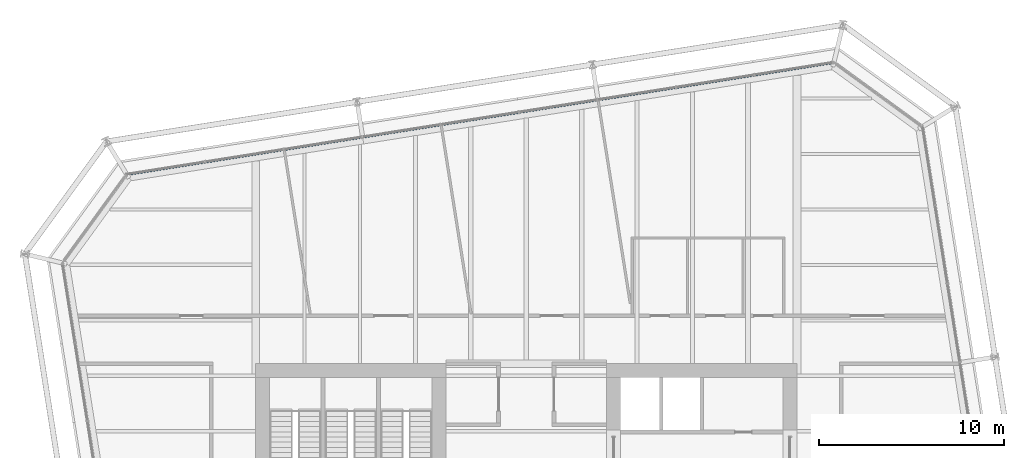
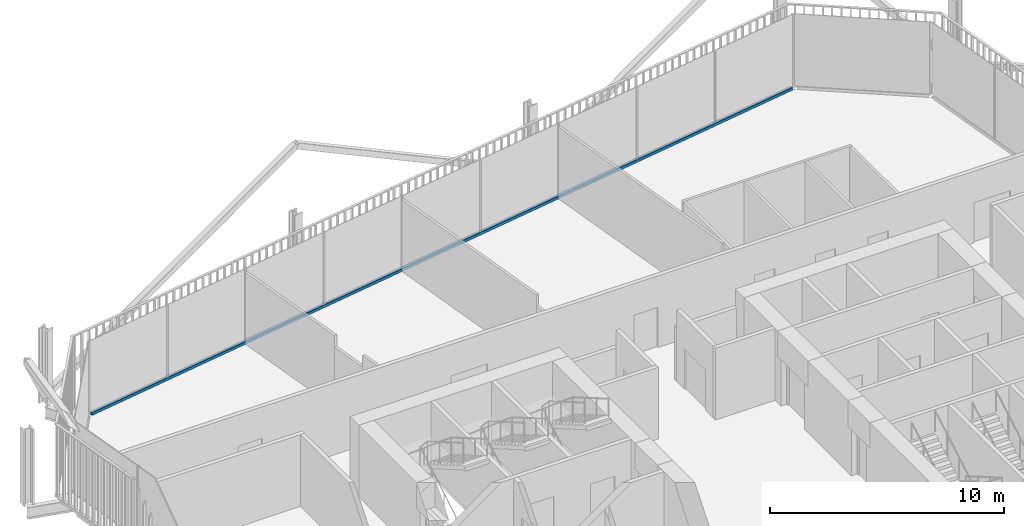
# One storey, part 12 of 22: 1 member, 1 element without a shape of its own.
"""IFC4 building model written with IfcOpenShell, lengths in metres."""

from ifc_helpers import new_model, si_unit, direction, frame, origin, origin_2d, place, context, subcontext, project, spatial, rectangle, extrude, material, layer, layer_set, material_profile, profile_set, type_object, element, aggregate, save


model = new_model("IFC4")

# Units and contexts
model_context = context("Model", 3, precision=1e-05, world=origin(), true_north=direction((0.0, 1.0)))
body_context = subcontext(model_context, "Body", "Model", "MODEL_VIEW")
ifc_project = project(units=[si_unit("LENGTHUNIT", "METRE"), si_unit("AREAUNIT", "SQUARE_METRE"), si_unit("VOLUMEUNIT", "CUBIC_METRE"), si_unit("PLANEANGLEUNIT", "RADIAN"), si_unit("MASSUNIT", "GRAM", prefix="KILO")], contexts=[model_context])

# Site, building, storey
site_placement = place(None, origin())
site = spatial("IfcSite", under=ifc_project, at=site_placement, CompositionType="ELEMENT")
building_placement = place(site_placement, origin())
building = spatial("IfcBuilding", under=site, at=building_placement, Name="Millrace Tower", CompositionType="ELEMENT")
storey_placement = place(building_placement, frame((0.0, 0.0, 160.699951171875)))
storey = spatial("IfcBuildingStorey", under=building, at=storey_placement, Name="L36", CompositionType="ELEMENT", Elevation=160.699951171875)

# Curtain wall, member
ifc_material_1 = material(Name="Aluminium and glass", Category="aluminium")
ifc_layer = layer(ifc_material_1, 0.14990234375)
ifc_layer_set = layer_set([ifc_layer], Name="Aluminium and glass")
curtain_wall_type = type_object("IfcCurtainWallType", Name="CW-1 office vision curtain wall", PredefinedType="NOTDEFINED", material=ifc_layer_set)
curtain_wall_placement = place(storey_placement, origin())
curtain_wall = element("IfcCurtainWall", 1, at=curtain_wall_placement, inside=storey, type_object=curtain_wall_type, Name="Curtain wall C-F06 L36", PredefinedType="NOTDEFINED")
ifc_material_2 = material(Name="Aluminium", Category="aluminium")
ifc_material_profile = material_profile(ifc_material_2, rectangle(XDim=0.14990234375, YDim=0.139892578125, at=origin_2d()))
ifc_profile_set = profile_set([ifc_material_profile], Name="Aluminium")
member_type = type_object("IfcMemberType", Name="CW-1 office vision curtain wall transom", PredefinedType="USERDEFINED", material=ifc_profile_set)
member_placement = place(storey_placement, frame((16.525146484375, 25.946044921875, 0.070068359375), z_axis=(-0.987688505691, -0.156433422663, 0.0), x_axis=(0.156433422663, -0.987688505691, 0.0)))
member = element("IfcMember", 2, at=member_placement, type_object=member_type, Name="CW1 transom C-F06.1", ObjectType="TRANSOM", PredefinedType="USERDEFINED", context=body_context, shape_type="SweptSolid", body=[
    extrude(rectangle(XDim=0.14990234375, YDim=0.139892578125, at=origin_2d()), origin(), (0.0, 0.0, 1.0), 38.5),
])
aggregate(curtain_wall, [member])

save(model, "model.ifc")
